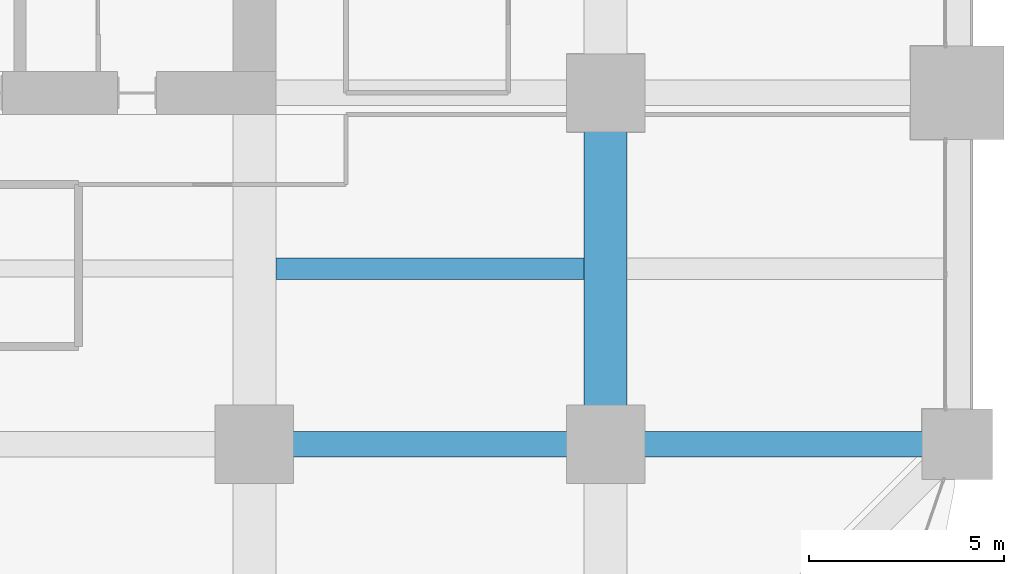
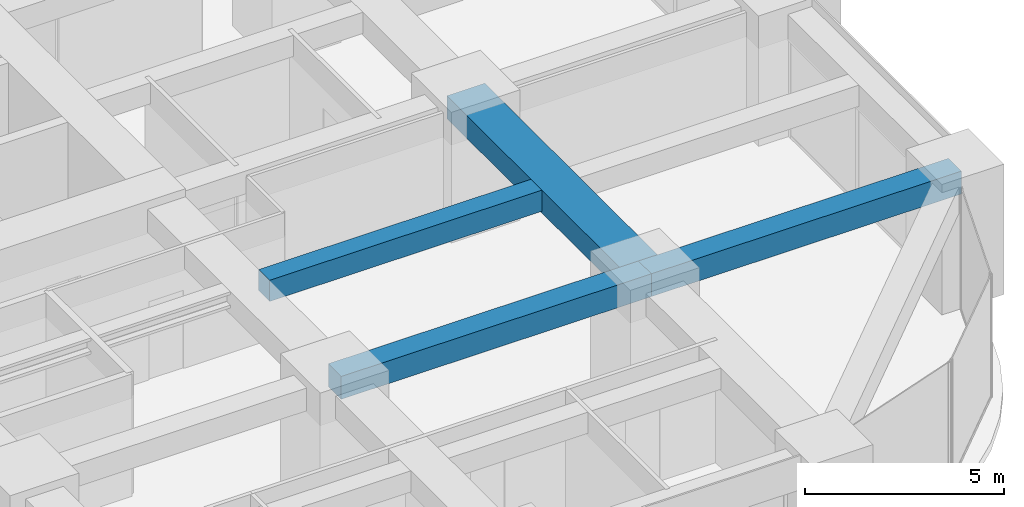
# One storey, part 18 of 41: 4 beams.
"""IFC4 building model written with IfcOpenShell, lengths in metres."""

from ifc_helpers import new_model, si_unit, direction, frame, origin, origin_2d, place, context, subcontext, project, spatial, rectangle, extrude, material, material_profile, profile_set, type_object, element, save


model = new_model("IFC4")

# Units and contexts
model_context = context("Model", 3, precision=1e-05, world=origin(), true_north=direction((0.0, 1.0)))
body_context = subcontext(model_context, "Body", "Model", "MODEL_VIEW")
ifc_project = project(units=[si_unit("LENGTHUNIT", "METRE"), si_unit("AREAUNIT", "SQUARE_METRE"), si_unit("VOLUMEUNIT", "CUBIC_METRE"), si_unit("PLANEANGLEUNIT", "RADIAN"), si_unit("MASSUNIT", "GRAM", prefix="KILO")], contexts=[model_context])

# Site, building, storey
site_placement = place(None, origin())
site = spatial("IfcSite", under=ifc_project, at=site_placement, CompositionType="ELEMENT")
building_placement = place(site_placement, origin())
building = spatial("IfcBuilding", under=site, at=building_placement, Name="Zorevar Civic Tower", CompositionType="ELEMENT")
storey_placement = place(building_placement, frame((0.0, 0.0, 97.0)))
storey = spatial("IfcBuildingStorey", under=building, at=storey_placement, Name="L23", CompositionType="ELEMENT", Elevation=97.0)

# Beams
ifc_material_1 = material(Name="Concrete C50/60", Category="concrete")
ifc_material_profile_1 = material_profile(ifc_material_1, rectangle(XDim=1.10009765625, YDim=0.699951171875, at=origin_2d()), Name="RC 1100x700")
ifc_profile_set_1 = profile_set([ifc_material_profile_1], Name="Concrete C50/60")
beam_type_1 = type_object("IfcBeamType", Name="Beam RC 1100x700", PredefinedType="BEAM", material=ifc_profile_set_1)
beam_1_placement = place(storey_placement, frame((54.0, 9.0, 3.39990234375), z_axis=(0.0, 1.0, 0.0), x_axis=(-1.0, 0.0, 0.0)))
element("IfcBeam", 1, at=beam_1_placement, inside=storey, type_object=beam_type_1, Name="Girder L24", PredefinedType="BEAM", context=body_context, shape_type="SweptSolid", body=[
    extrude(rectangle(XDim=1.10009765625, YDim=0.699951171875, at=origin_2d()), origin(), (0.0, 0.0, 1.0), 9.0),
])
ifc_material_2 = material(Name="Concrete C50/60", Category="concrete")
ifc_material_profile_2 = material_profile(ifc_material_2, rectangle(XDim=0.550048828125, YDim=0.64990234375, at=origin_2d()), Name="RC 550x650")
ifc_profile_set_2 = profile_set([ifc_material_profile_2], Name="Concrete C50/60")
beam_type_2 = type_object("IfcBeamType", Name="Beam RC 550x650", PredefinedType="BEAM", material=ifc_profile_set_2)
beam_2_placement = place(storey_placement, frame((45.550048828125, 13.5, 3.425048828125), z_axis=(1.0, 0.0, 0.0), x_axis=(0.0, 1.0, 0.0)))
element("IfcBeam", 2, at=beam_2_placement, inside=storey, type_object=beam_type_2, Name="Secondary beam L24", PredefinedType="BEAM", context=body_context, shape_type="SweptSolid", body=[
    extrude(rectangle(XDim=0.550048828125, YDim=0.64990234375, at=origin_2d()), origin(), (0.0, 0.0, 1.0), 7.89990234375),
])
ifc_material_3 = material(Name="Concrete C50/60", Category="concrete")
ifc_material_profile_3 = material_profile(ifc_material_3, rectangle(XDim=0.64990234375, YDim=0.699951171875, at=origin_2d()), Name="RC 650x700")
ifc_profile_set_3 = profile_set([ifc_material_profile_3], Name="Concrete C50/60")
beam_type_3 = type_object("IfcBeamType", Name="Beam RC 650x700", PredefinedType="BEAM", material=ifc_profile_set_3)
for number, where, z_axis, x_axis, name in (
    (3, (45.0, 9.0, 3.39990234375), (1.0, 0.0, 0.0), (0.0, 1.0, 0.0), "Girder L24"),
    (4, (54.0, 9.0, 3.39990234375), (1.0, 0.0, 0.0), (0.0, 1.0, 0.0), "Girder L24"),
):
    element("IfcBeam", number, at=place(storey_placement, frame(where, z_axis=z_axis, x_axis=x_axis)), inside=storey, type_object=beam_type_3, Name=name, PredefinedType="BEAM", context=body_context, shape_type="SweptSolid", body=[
        extrude(rectangle(XDim=0.64990234375, YDim=0.699951171875, at=origin_2d()), origin(), (0.0, 0.0, 1.0), 9.0),
    ])

save(model, "model.ifc")
